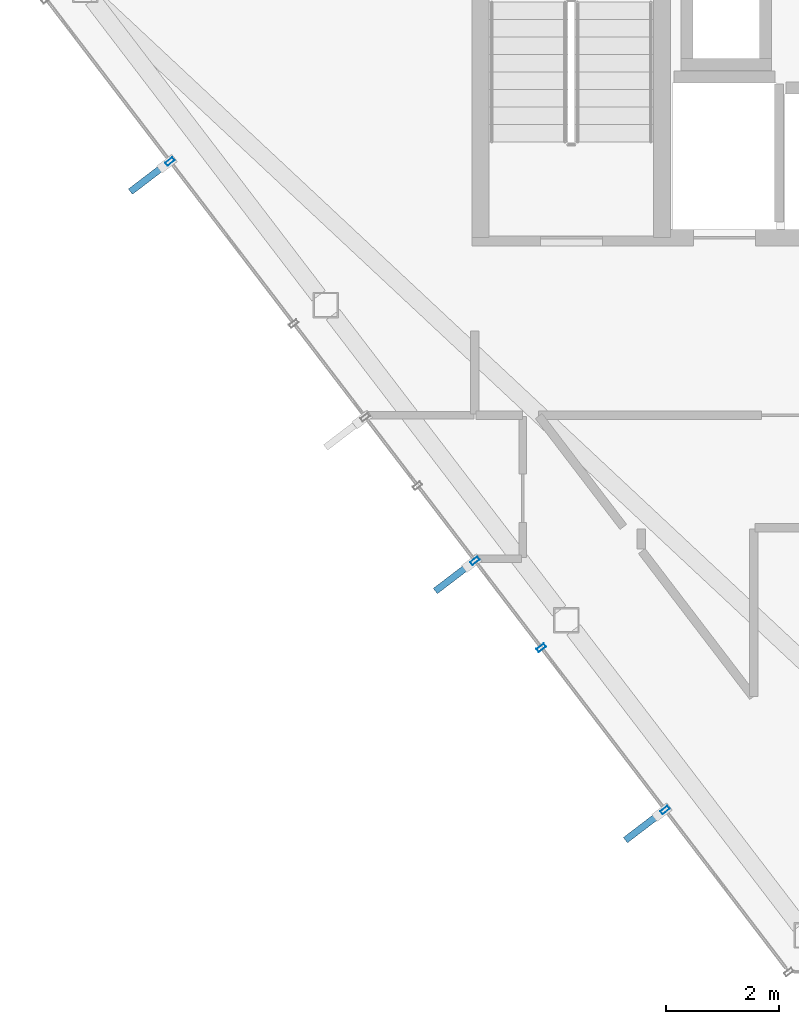
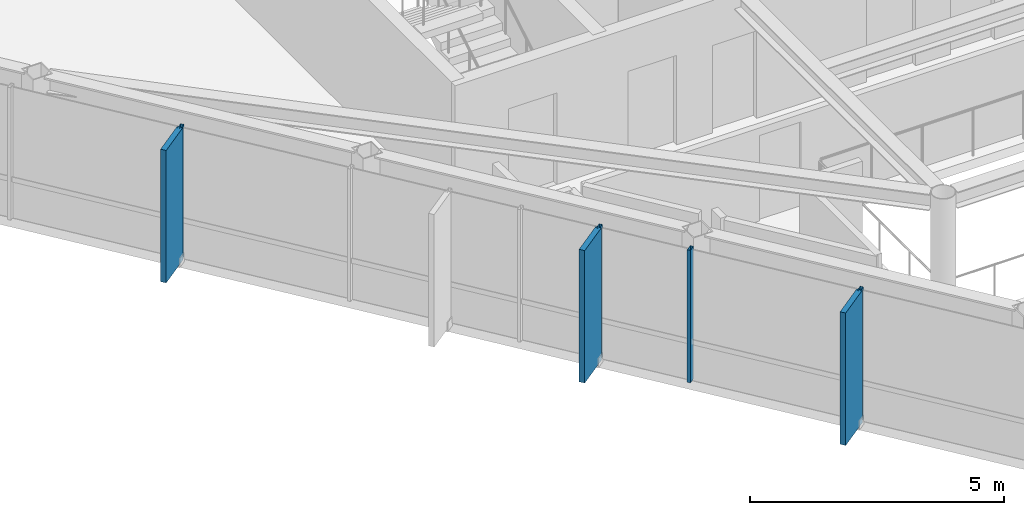
# One storey, part 2 of 22: 7 members, 1 element without a shape of its own.
"""IFC4 building model written with IfcOpenShell, lengths in metres."""

from ifc_helpers import new_model, si_unit, direction, frame, origin, origin_2d, place, context, subcontext, project, spatial, rectangle, hollow_rectangle, extrude, material, layer, layer_set, material_profile, profile_set, type_object, element, aggregate, save


model = new_model("IFC4")

# Units and contexts
model_context = context("Model", 3, precision=1e-05, world=origin(), true_north=direction((0.0, 1.0)))
body_context = subcontext(model_context, "Body", "Model", "MODEL_VIEW")
ifc_project = project(units=[si_unit("LENGTHUNIT", "METRE"), si_unit("AREAUNIT", "SQUARE_METRE"), si_unit("VOLUMEUNIT", "CUBIC_METRE"), si_unit("PLANEANGLEUNIT", "RADIAN"), si_unit("MASSUNIT", "GRAM", prefix="KILO")], contexts=[model_context])

# Site, building, storey
site_placement = place(None, origin())
site = spatial("IfcSite", under=ifc_project, at=site_placement, CompositionType="ELEMENT")
building_placement = place(site_placement, origin())
building = spatial("IfcBuilding", under=site, at=building_placement, Name="Zarrinselat Tower", CompositionType="ELEMENT")
storey_placement = place(building_placement, frame((0.0, 0.0, 292.39990234375)))
storey = spatial("IfcBuildingStorey", under=building, at=storey_placement, Name="L75", CompositionType="ELEMENT", Elevation=292.39990234375)

# Curtain wall, members
ifc_material_1 = material(Name="Extruded Aluminium Alloy EN AW-6063 T6", Category="aluminium")
ifc_layer = layer(ifc_material_1, 0.169921875)
ifc_layer_set = layer_set([ifc_layer], Name="Extruded Aluminium Alloy EN AW-6063 T6")
curtain_wall_type = type_object("IfcCurtainWallType", Name="CWS-RES", PredefinedType="NOTDEFINED", material=ifc_layer_set)
curtain_wall_placement = place(storey_placement, origin())
curtain_wall = element("IfcCurtainWall", 1, at=curtain_wall_placement, inside=storey, type_object=curtain_wall_type, Name="L75 Unitised Curtain Wall CW-L75-E03", PredefinedType="NOTDEFINED")
ifc_material_2 = material(Name="Extruded Aluminium Alloy EN AW-6063 T6", Category="aluminium")
ifc_material_profile_1 = material_profile(ifc_material_2, hollow_rectangle(XDim=0.070068359375, YDim=0.159912109375, WallThickness=0.00390625, at=origin_2d()), Name="RHS 160x70x4")
ifc_profile_set_1 = profile_set([ifc_material_profile_1], Name="Extruded Aluminium Alloy EN AW-6063 T6")
member_type_1 = type_object("IfcMemberType", Name="MEM-CW-MUL2", PredefinedType="MULLION", material=ifc_profile_set_1)
member_1_placement = place(storey_placement, frame((23.136474609375, 34.65380859375, 0.0), z_axis=(0.0, 0.0, 1.0), x_axis=(0.606801746242, -0.794853219631, 0.0)))
member_1 = element("IfcMember", 2, at=member_1_placement, type_object=member_type_1, Name="CW-L75-E03 Mullion 3", PredefinedType="MULLION", context=body_context, shape_type="SweptSolid", body=[
    extrude(hollow_rectangle(XDim=0.070068359375, YDim=0.159912109375, WallThickness=0.00390625, at=origin_2d()), origin(), (0.0, 0.0, 1.0), 3.18017578125),
])
member_2_placement = place(storey_placement, frame((28.549072265625, 27.563720703125, 0.0), z_axis=(0.0, 0.0, 1.0), x_axis=(0.606801746242, -0.794853219631, 0.0)))
member_2 = element("IfcMember", 3, at=member_2_placement, type_object=member_type_1, Name="CW-L75-E03 Mullion 7", PredefinedType="MULLION", context=body_context, shape_type="SweptSolid", body=[
    extrude(hollow_rectangle(XDim=0.070068359375, YDim=0.159912109375, WallThickness=0.00390625, at=origin_2d()), origin(), (0.0, 0.0, 1.0), 3.18017578125),
])
member_3_placement = place(storey_placement, frame((29.7275390625, 26.02001953125, 0.0), z_axis=(0.0, 0.0, 1.0), x_axis=(0.606801746242, -0.794853219631, 0.0)))
member_3 = element("IfcMember", 4, at=member_3_placement, type_object=member_type_1, Name="CW-L75-E03 Mullion 8", PredefinedType="MULLION", context=body_context, shape_type="SweptSolid", body=[
    extrude(hollow_rectangle(XDim=0.070068359375, YDim=0.159912109375, WallThickness=0.00390625, at=origin_2d()), origin(), (0.0, 0.0, 1.0), 3.18017578125),
])
member_4_placement = place(storey_placement, frame((31.924560546875, 23.14208984375, 0.0), z_axis=(0.0, 0.0, 1.0), x_axis=(0.606801746242, -0.794853219631, 0.0)))
member_4 = element("IfcMember", 5, at=member_4_placement, type_object=member_type_1, Name="CW-L75-E03 Mullion 9", PredefinedType="MULLION", context=body_context, shape_type="SweptSolid", body=[
    extrude(hollow_rectangle(XDim=0.070068359375, YDim=0.159912109375, WallThickness=0.00390625, at=origin_2d()), origin(), (0.0, 0.0, 1.0), 3.18017578125),
])
ifc_material_3 = material(Name="Honed Cream Travertine Stone", Category="masonry")
ifc_material_profile_2 = material_profile(ifc_material_3, rectangle(XDim=0.1201171875, YDim=0.85009765625, at=origin_2d()), Name="FIN 850x120")
ifc_profile_set_2 = profile_set([ifc_material_profile_2], Name="Honed Cream Travertine Stone")
member_type_2 = type_object("IfcMemberType", Name="MEM-STONE-FIN", PredefinedType="USERDEFINED", material=ifc_profile_set_2)
member_5_placement = place(storey_placement, frame((22.770751953125, 34.374755859375, 0.0), z_axis=(0.0, 0.0, 1.0), x_axis=(-0.606801746242, 0.794853219631, 0.0)))
member_5 = element("IfcMember", 6, at=member_5_placement, type_object=member_type_2, Name="L75 Stone Shading Fin CW-L75-E03-03", ObjectType="FIN", PredefinedType="USERDEFINED", context=body_context, shape_type="SweptSolid", body=[
    extrude(rectangle(XDim=0.1201171875, YDim=0.85009765625, at=origin_2d()), origin(), (0.0, 0.0, 1.0), 3.18017578125),
])
member_6_placement = place(storey_placement, frame((28.18359375, 27.284423828125, 0.0), z_axis=(0.0, 0.0, 1.0), x_axis=(-0.606801746242, 0.794853219631, 0.0)))
member_6 = element("IfcMember", 7, at=member_6_placement, type_object=member_type_2, Name="L75 Stone Shading Fin CW-L75-E03-07", ObjectType="FIN", PredefinedType="USERDEFINED", context=body_context, shape_type="SweptSolid", body=[
    extrude(rectangle(XDim=0.1201171875, YDim=0.85009765625, at=origin_2d()), origin(), (0.0, 0.0, 1.0), 3.18017578125),
])
member_7_placement = place(storey_placement, frame((31.55908203125, 22.863037109375, 0.0), z_axis=(0.0, 0.0, 1.0), x_axis=(-0.606801746242, 0.794853219631, 0.0)))
member_7 = element("IfcMember", 8, at=member_7_placement, type_object=member_type_2, Name="L75 Stone Shading Fin CW-L75-E03-09", ObjectType="FIN", PredefinedType="USERDEFINED", context=body_context, shape_type="SweptSolid", body=[
    extrude(rectangle(XDim=0.1201171875, YDim=0.85009765625, at=origin_2d()), origin(), (0.0, 0.0, 1.0), 3.18017578125),
])
aggregate(curtain_wall, [member_1, member_5, member_2, member_6, member_3, member_4, member_7])

save(model, "model.ifc")
